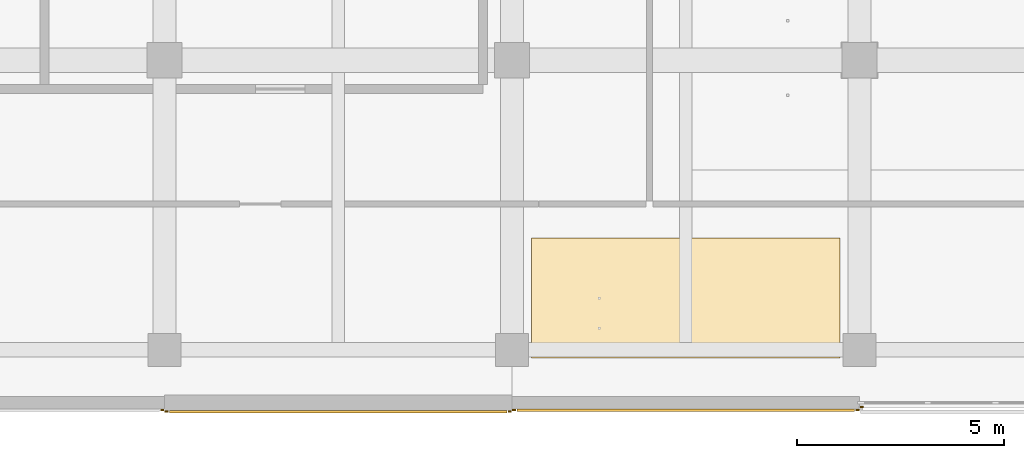
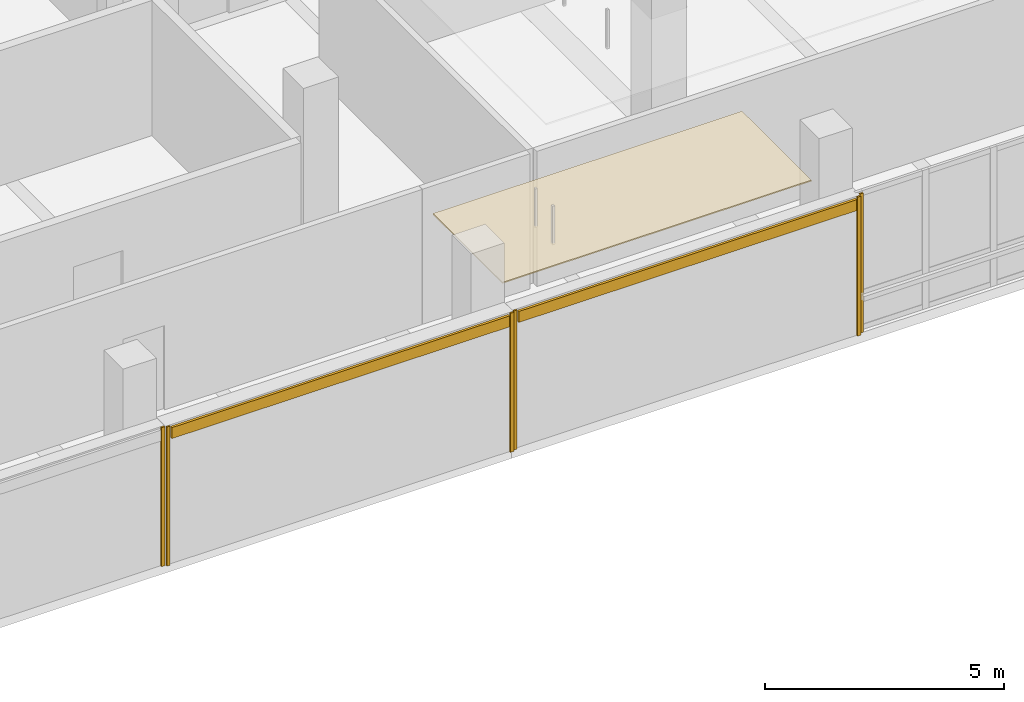
# One storey, part 28 of 35: 9 coverings.
"""IFC4 building model written with IfcOpenShell, lengths in metres."""

import ifcopenshell
import ifcopenshell.guid

model = None  # the IFC model being written
_history = None  # IfcOwnerHistory: only IFC2X3 demands one
_inside = {}  # id of a spatial element -> (the spatial element, [elements in it])
_under = {}  # id of a project, library or spatial element -> (it, [spatial elements below it])
_declared = {}  # id of a project -> (the project, [libraries it declares])
_typed = {}  # id of a type object -> (the type object, [elements of that type])
_made_of = {}  # id of a material, layer set ... -> (it, [elements and type objects made of it])


def new_model(schema):
    """Start an empty IFC model of exactly this schema.

    Asked for "IFC4X3", IfcOpenShell would pick the latest addendum, in which some entities
    have other attributes; the version numbers below select the first issue.
    IFC2X3 requires an IfcOwnerHistory on every rooted entity: one is made here for all.
    """
    global model, _history
    if schema == "IFC4X3":
        model = ifcopenshell.file(schema_version=(4, 3, 0, 0))
    else:
        model = ifcopenshell.file(schema=schema)
    _inside.clear()
    _under.clear()
    _declared.clear()
    _typed.clear()
    _made_of.clear()
    _history = None
    if model.schema == "IFC2X3":
        org = make("IfcOrganization", Name="unknown")
        user = make(
            "IfcPersonAndOrganization",
            ThePerson=make("IfcPerson", FamilyName="unknown"),
            TheOrganization=org,
        )
        app = make(
            "IfcApplication",
            ApplicationDeveloper=org,
            Version="unknown",
            ApplicationFullName="unknown",
            ApplicationIdentifier="unknown",
        )
        _history = make(
            "IfcOwnerHistory",
            OwningUser=user,
            OwningApplication=app,
            ChangeAction="ADDED",
            CreationDate=0,
        )
    return model


def make(cls, **values):
    """One entity of the class cls with the attributes given. An attribute that is None is left unset."""
    return model.create_entity(
        cls, **{name: value for name, value in values.items() if value is not None}
    )


def rooted(cls, **values):
    """An entity with a GlobalId (a new one), such as an element, a storey or a relation."""
    return make(cls, GlobalId=ifcopenshell.guid.new(), OwnerHistory=_history, **values)


def si_unit(unit_type, name, prefix=None):
    """IfcSIUnit, for example si_unit("LENGTHUNIT", "METRE", prefix="MILLI")."""
    return make("IfcSIUnit", UnitType=unit_type, Prefix=prefix, Name=name)


def assignment(units):
    """IfcUnitAssignment: the units of a project."""
    return None if units is None else make("IfcUnitAssignment", Units=units)


def point(xyz):
    """IfcCartesianPoint."""
    return None if xyz is None else make("IfcCartesianPoint", Coordinates=xyz)


def direction(xyz):
    """IfcDirection."""
    return None if xyz is None else make("IfcDirection", DirectionRatios=xyz)


def frame(location, z_axis=None, x_axis=None):
    """IfcAxis2Placement3D, a coordinate frame: its origin and axes. An axis left out is left unset."""
    return make(
        "IfcAxis2Placement3D",
        Location=point(location),
        Axis=direction(z_axis),
        RefDirection=direction(x_axis),
    )


def frame_2d(location, x_axis=None):
    """IfcAxis2Placement2D, a coordinate frame in the plane: its origin and x axis."""
    return make(
        "IfcAxis2Placement2D", Location=point(location), RefDirection=direction(x_axis)
    )


def origin():
    """The frame at (0, 0, 0) with its axes left unset."""
    return frame((0.0, 0.0, 0.0))


def origin_2d():
    """The frame at (0, 0) in the plane with its x axis left unset."""
    return frame_2d((0.0, 0.0))


def place(relative_to, where):
    """IfcLocalPlacement: puts the frame where relative to a parent placement (None: the world)."""
    return make(
        "IfcLocalPlacement", PlacementRelTo=relative_to, RelativePlacement=where
    )


def context(
    kind, dimensions, precision=None, world=None, true_north=None, identifier=None
):
    """IfcGeometricRepresentationContext, for example the 3D "Model" context."""
    return make(
        "IfcGeometricRepresentationContext",
        ContextIdentifier=identifier,
        ContextType=kind,
        CoordinateSpaceDimension=dimensions,
        Precision=precision,
        WorldCoordinateSystem=world,
        TrueNorth=true_north,
    )


def subcontext(parent, identifier, kind, view, scale=None):
    """IfcGeometricRepresentationSubContext, for example "Body" below "Model"."""
    return make(
        "IfcGeometricRepresentationSubContext",
        ContextIdentifier=identifier,
        ContextType=kind,
        ParentContext=parent,
        TargetScale=scale,
        TargetView=view,
    )


def project(units=None, contexts=None):
    """IfcProject with its units and contexts."""
    return rooted(
        "IfcProject",
        Name="project",
        RepresentationContexts=contexts,
        UnitsInContext=assignment(units),
    )


def spatial(cls, under=None, at=None, **own):
    """A site, building, storey or space (cls), placed at a placement, below another one or the project."""
    s = rooted(cls, ObjectPlacement=at, **own)
    if under is not None:
        _under.setdefault(under.id(), (under, []))[1].append(s)
    return s


def polyline(points):
    """IfcPolyline through the points."""
    return make("IfcPolyline", Points=[point(p) for p in points])


def profile(cls, at=None, kind="AREA", **sizes):
    """A parametric profile (cls). Its sizes go by their IFC names, for example OverallWidth=200.0."""
    return make(cls, ProfileType=kind, Position=at, **sizes)


def rectangle(**sizes):
    """IfcRectangleProfileDef."""
    return profile("IfcRectangleProfileDef", **sizes)


def outline(outer, holes=None, kind="AREA"):
    """IfcArbitraryClosedProfileDef: a profile drawn as a closed curve; with holes, ...WithVoids."""
    if holes is None:
        return make("IfcArbitraryClosedProfileDef", ProfileType=kind, OuterCurve=outer)
    return make(
        "IfcArbitraryProfileDefWithVoids",
        ProfileType=kind,
        OuterCurve=outer,
        InnerCurves=holes,
    )


def extrude(swept, where, along, depth):
    """IfcExtrudedAreaSolid: the profile swept, set in the frame where, extruded along a direction by depth."""
    return make(
        "IfcExtrudedAreaSolid",
        SweptArea=swept,
        Position=where,
        ExtrudedDirection=direction(along),
        Depth=depth,
    )


def shape(context_of_items, identifier, shape_type, items):
    """IfcShapeRepresentation: the items that make up one representation, for example the "Body"."""
    return make(
        "IfcShapeRepresentation",
        ContextOfItems=context_of_items,
        RepresentationIdentifier=identifier,
        RepresentationType=shape_type,
        Items=items,
    )


def material(Name=None, Category=None):
    """IfcMaterial."""
    return make("IfcMaterial", Name=Name, Category=Category)


def layer(
    of_material, thickness, ventilated=None, Name=None, Category=None, Priority=None
):
    """IfcMaterialLayer: one layer of a wall or slab, of a material (None: an air gap)."""
    return make(
        "IfcMaterialLayer",
        Material=of_material,
        LayerThickness=thickness,
        IsVentilated=ventilated,
        Name=Name,
        Category=Category,
        Priority=Priority,
    )


def layer_set(layers, Name=None):
    """IfcMaterialLayerSet."""
    return make("IfcMaterialLayerSet", MaterialLayers=layers, LayerSetName=Name)


def made_of(thing, what):
    """Note that an element or type object is made of a material, layer set ...; save() writes the relation."""
    if what is not None:
        _made_of.setdefault(what.id(), (what, []))[1].append(thing)
    return thing


def type_object(cls, material=None, **own):
    """A type object (cls), such as IfcWallType, which elements share."""
    return made_of(rooted(cls, **own), material)


def element(
    cls,
    number,
    at=None,
    inside=None,
    cuts=None,
    type_object=None,
    material=None,
    context=None,
    identifier="Body",
    shape_type=None,
    held_by="IfcProductDefinitionShape",
    body=None,
    shapes=None,
    **own,
):
    """One element of the class cls, such as IfcWall. Its Tag is "e" and its number.

    at: its placement. inside: the storey or other place that contains it. cuts: it is an
    opening in that element (IfcRelVoidsElement). A single representation is given by context,
    identifier, shape_type and body (its items); several are given by shapes. held_by: the class
    of the entity that holds the representations. save() writes the other relations.
    """
    e = rooted(cls, Tag="e%d" % number, ObjectPlacement=at, **own)
    if body is not None:
        shapes = [shape(context, identifier, shape_type, body)]
    if shapes is not None:
        e.Representation = make(held_by, Representations=shapes)
    if inside is not None:
        _inside.setdefault(inside.id(), (inside, []))[1].append(e)
    if cuts is not None:
        rooted(
            "IfcRelVoidsElement", RelatingBuildingElement=cuts, RelatedOpeningElement=e
        )
    if type_object is not None:
        _typed.setdefault(type_object.id(), (type_object, []))[1].append(e)
    return made_of(e, material)


def aggregate(whole, parts):
    """IfcRelAggregates: a whole, such as a stair, and the parts it consists of."""
    return rooted("IfcRelAggregates", RelatingObject=whole, RelatedObjects=parts)


def save(model, path):
    """Write the relations noted so far, then the file.

    IfcRelAggregates (storeys below a building ...), IfcRelContainedInSpatialStructure (elements
    in a storey), IfcRelDefinesByType, IfcRelAssociatesMaterial and IfcRelDeclares: one each for
    every whole, place, type object, material and project.
    """
    for whole, parts in _under.values():
        aggregate(whole, parts)
    for where, things in _inside.values():
        rooted(
            "IfcRelContainedInSpatialStructure",
            RelatedElements=things,
            RelatingStructure=where,
        )
    for kind, things in _typed.values():
        rooted("IfcRelDefinesByType", RelatedObjects=things, RelatingType=kind)
    for what, things in _made_of.values():
        rooted("IfcRelAssociatesMaterial", RelatedObjects=things, RelatingMaterial=what)
    for by, libraries in _declared.values():
        rooted("IfcRelDeclares", RelatingContext=by, RelatedDefinitions=libraries)
    model.write(path)


model = new_model("IFC4")

# Units and contexts
model_context = context("Model", 3, precision=1e-05, world=origin(), true_north=direction((0.0, 1.0)))
body_context = subcontext(model_context, "Body", "Model", "MODEL_VIEW")
ifc_project = project(units=[si_unit("LENGTHUNIT", "METRE"), si_unit("AREAUNIT", "SQUARE_METRE"), si_unit("VOLUMEUNIT", "CUBIC_METRE"), si_unit("PLANEANGLEUNIT", "RADIAN"), si_unit("MASSUNIT", "GRAM", prefix="KILO")], contexts=[model_context])

# Site, building, storey
site_placement = place(None, origin())
site = spatial("IfcSite", under=ifc_project, at=site_placement, CompositionType="ELEMENT")
building_placement = place(site_placement, origin())
building = spatial("IfcBuilding", under=site, at=building_placement, Name="Telukmera Botanical Conservatory", CompositionType="ELEMENT")
storey_placement = place(building_placement, frame((0.0, 0.0, 28.5)))
storey = spatial("IfcBuildingStorey", under=building, at=storey_placement, Name="L06", CompositionType="ELEMENT", Elevation=28.5)

# Coverings
ifc_material_1 = material(Name="Mineral fibre acoustic ceiling")
ifc_layer_1 = layer(ifc_material_1, 0.030029296875)
ifc_layer_set_1 = layer_set([ifc_layer_1], Name="Mineral fibre acoustic ceiling")
covering_type_1 = type_object("IfcCoveringType", Name="COV-CEIL-30", PredefinedType="CEILING", material=ifc_layer_set_1)
covering_placement = place(storey_placement, frame((0.0, 0.0, 3.320068359375)))
element("IfcCovering", 1, at=covering_placement, inside=storey, type_object=covering_type_1, Name="L06 Botanical Monograph Write-Up Studio Suspended Acoustic Ceiling", PredefinedType="CEILING", context=body_context, shape_type="SweptSolid", body=[
    extrude(outline(polyline([(92.8701171875, 10.39990234375), (100.330078125, 10.39990234375), (100.330078125, 13.300048828125), (92.8701171875, 13.300048828125), (92.8701171875, 10.39990234375)])), origin(), (0.0, 0.0, 1.0), 0.030029296875),
])
ifc_material_2 = material(Name="Granite-faced precast concrete C40/50", Category="masonry")
ifc_layer_2 = layer(ifc_material_2, 0.0400390625)
ifc_layer_set_2 = layer_set([ifc_layer_2], Name="Granite-faced precast concrete C40/50")
covering_type_2 = type_object("IfcCoveringType", Name="Granite Precast Column Pier Reveal Casing", PredefinedType="CLADDING", material=ifc_layer_set_2)
for number, where, z_axis, x_axis, name in (
    (2, (83.947998046875, 9.14990234375, 0.0), (0.0, 0.0, 1.0), (1.0, 0.0, 0.0), "Granite Pier Reveal V4:L06:S4 R"),
    (3, (84.052001953125, 9.110107421875, 0.0), (0.0, 0.0, 1.0), (1.0, 0.0, 0.0), "Granite Pier Reveal V4:L06:S5 L"),
    (4, (92.347900390625, 9.110107421875, 0.0), (0.0, 0.0, 1.0), (1.0, 0.0, 0.0), "Granite Pier Reveal V4:L06:S5 R"),
    (5, (92.451904296875, 9.14990234375, 0.0), (0.0, 0.0, 1.0), (1.0, 0.0, 0.0), "Granite Pier Reveal V4:L06:S6 L"),
    (6, (100.748046875, 9.14990234375, 0.0), (0.0, 0.0, 1.0), (1.0, 0.0, 0.0), "Granite Pier Reveal V4:L06:S6 R"),
    (7, (100.85205078125, 9.219970703125, 0.0), (0.0, 0.0, 1.0), (1.0, 0.0, 0.0), "Granite Pier Reveal V4:L06:S7 L"),
):
    element("IfcCovering", number, at=place(storey_placement, frame(where, z_axis=z_axis, x_axis=x_axis)), inside=storey, type_object=covering_type_2, Name=name, PredefinedType="CLADDING", context=body_context, shape_type="SweptSolid", body=[
        extrude(rectangle(XDim=0.080078125, YDim=0.0400390625, at=origin_2d()), origin(), (0.0, 0.0, 1.0), 3.550048828125),
    ])
ifc_material_3 = material(Name="Terracotta-faced precast concrete C40/50", Category="masonry")
ifc_layer_3 = layer(ifc_material_3, 0.06005859375)
ifc_layer_set_3 = layer_set([ifc_layer_3], Name="Terracotta-faced precast concrete C40/50")
covering_type_3 = type_object("IfcCoveringType", Name="Polychrome Terracotta Facade Band Cladding", PredefinedType="CLADDING", material=ifc_layer_set_3)
for number, where, z_axis, x_axis, name in (
    (8, (88.199951171875, 9.10009765625, 3.22998046875), (0.0, 0.0, 1.0), (1.0, 0.0, 0.0), "Polychrome Terracotta Band V4:L06:S5"),
    (9, (96.60009765625, 9.139892578125, 3.22998046875), (0.0, 0.0, 1.0), (1.0, 0.0, 0.0), "Polychrome Terracotta Band V4:L06:S6"),
):
    element("IfcCovering", number, at=place(storey_placement, frame(where, z_axis=z_axis, x_axis=x_axis)), inside=storey, type_object=covering_type_3, Name=name, PredefinedType="CLADDING", context=body_context, shape_type="SweptSolid", body=[
        extrude(rectangle(XDim=8.156005859375, YDim=0.06005859375, at=origin_2d()), origin(), (0.0, 0.0, 1.0), 0.280029296875),
    ])

save(model, "model.ifc")
